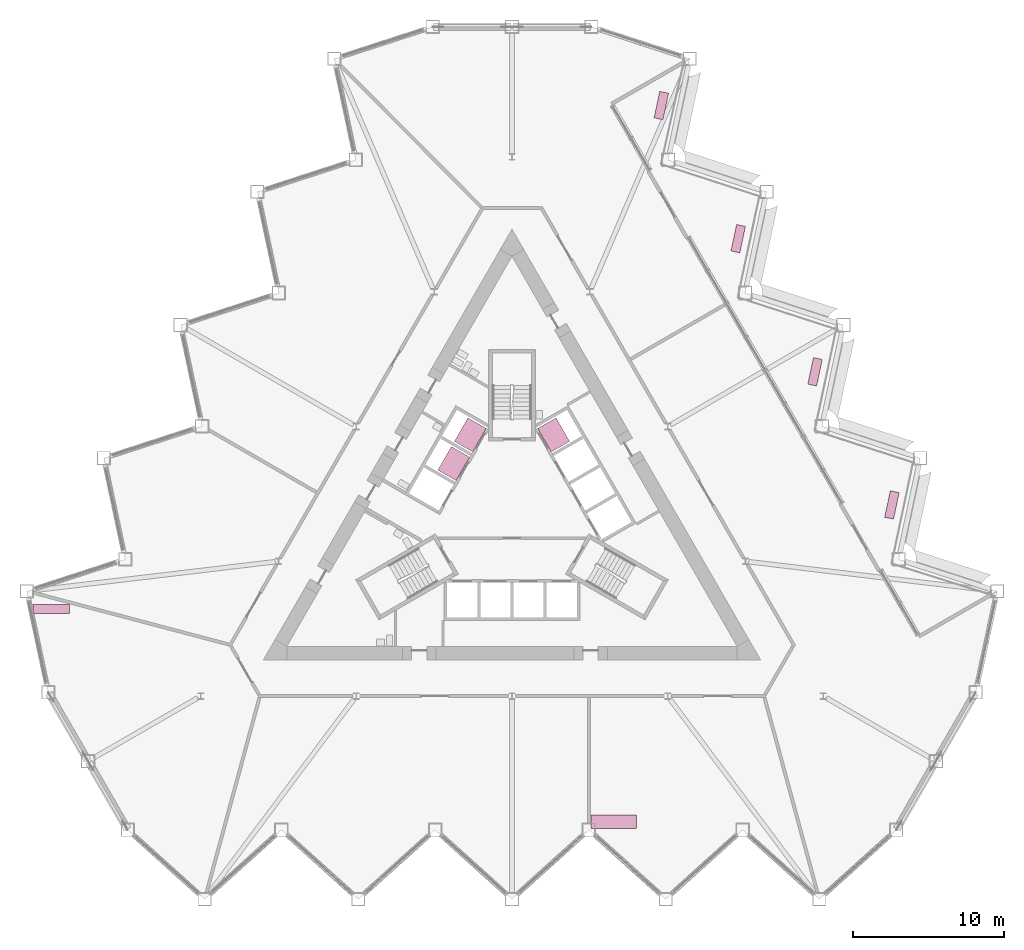
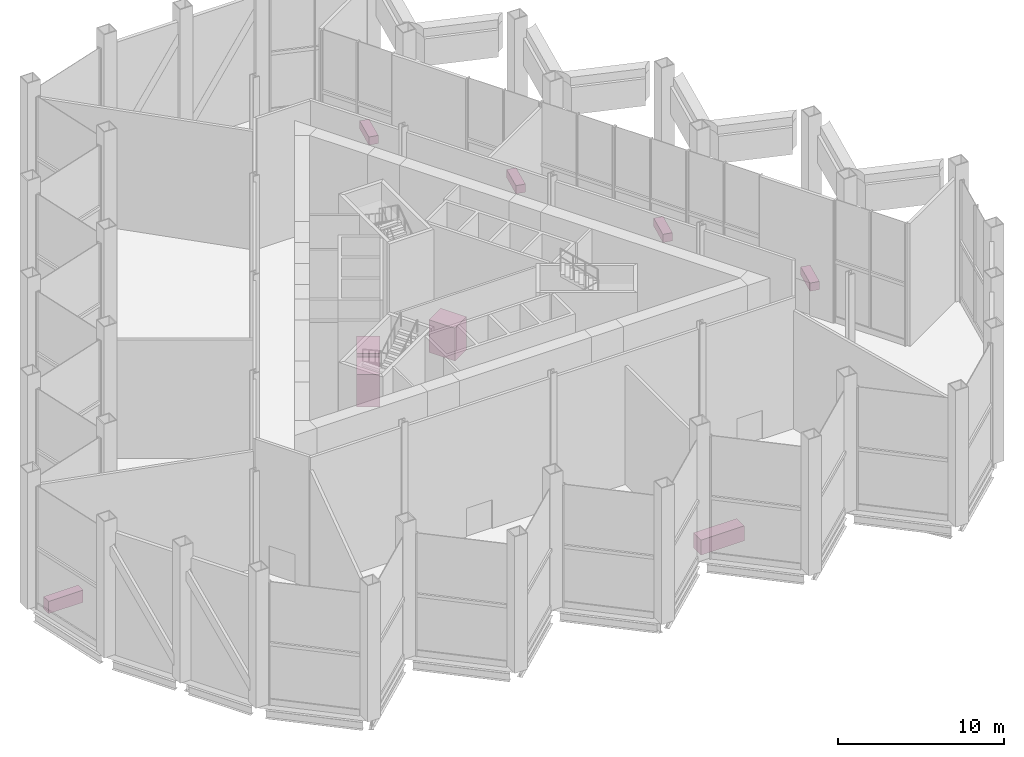
# One storey, part 18 of 18: 6 furniture elements, 3 transport elements.
"""IFC4 building model written with IfcOpenShell, lengths in metres."""

from ifc_helpers import new_model, si_unit, direction, frame, origin, origin_2d, place, context, subcontext, project, spatial, rectangle, extrude, material, type_object, element, save


model = new_model("IFC4")

# Units and contexts
model_context = context("Model", 3, precision=1e-05, world=origin(), true_north=direction((0.0, 1.0)))
body_context = subcontext(model_context, "Body", "Model", "MODEL_VIEW")
ifc_project = project(units=[si_unit("LENGTHUNIT", "METRE"), si_unit("AREAUNIT", "SQUARE_METRE"), si_unit("VOLUMEUNIT", "CUBIC_METRE"), si_unit("PLANEANGLEUNIT", "RADIAN"), si_unit("MASSUNIT", "GRAM", prefix="KILO")], contexts=[model_context])

# Site, building, storey
site_placement = place(None, origin())
site = spatial("IfcSite", under=ifc_project, at=site_placement, CompositionType="ELEMENT")
building_placement = place(site_placement, origin())
building = spatial("IfcBuilding", under=site, at=building_placement, Name="Cormorant Prow Tower", CompositionType="ELEMENT")
storey_placement = place(building_placement, frame((0.0, 0.0, 154.199951171875)))
storey = spatial("IfcBuildingStorey", under=building, at=storey_placement, Name="L33", CompositionType="ELEMENT", Elevation=154.199951171875)

# Furniture
ifc_material_1 = material(Name="Timber joinery", Category="wood")
furniture_type_1 = type_object("IfcFurnitureType", Name="Kitchen counter 2400x600", AssemblyPlace="NOTDEFINED", PredefinedType="NOTDEFINED", material=ifc_material_1)
furniture_1_placement = place(storey_placement, frame((-30.57421875, -6.135009765625, 0.0), z_axis=(0.0, 0.0, 1.0), x_axis=(1.0, 0.0, 0.0)))
element("IfcFurniture", 1, at=furniture_1_placement, inside=storey, type_object=furniture_type_1, Name="Kitchen counter", PredefinedType="NOTDEFINED", context=body_context, shape_type="SweptSolid", body=[
    extrude(rectangle(XDim=2.39990234375, YDim=0.60009765625, at=origin_2d()), origin(), (0.0, 0.0, 1.0), 0.89990234375),
])

# Transport elements
ifc_material_2 = material(Name="Stainless steel", Category="steel")
transport_element_type = type_object("IfcTransportElementType", Name="Passenger lift car 1800x1400", PredefinedType="ELEVATOR", material=ifc_material_2)
for number, where, z_axis, x_axis, name in (
    (2, (2.7666015625, 5.407958984375, 0.0), (0.0, 0.0, 1.0), (-0.5, 0.866025403784, 0.0), "Mid-rise lift MR1"),
    (3, (-2.7666015625, 5.407958984375, 0.0), (0.0, 0.0, 1.0), (-0.5, -0.866025403784, 0.0), "Mid-rise lift MR2"),
    (4, (-3.86669921875, 3.502685546875, 0.0), (0.0, 0.0, 1.0), (-0.5, -0.866025403784, 0.0), "Mid-rise lift MR3"),
):
    element("IfcTransportElement", number, at=place(storey_placement, frame(where, z_axis=z_axis, x_axis=x_axis)), inside=storey, type_object=transport_element_type, Name=name, PredefinedType="ELEVATOR", context=body_context, shape_type="SweptSolid", body=[
        extrude(rectangle(XDim=1.800048828125, YDim=1.39990234375, at=origin_2d()), origin(), (0.0, 0.0, 1.0), 2.39990234375),
    ])

# Furniture
ifc_material_3 = material(Name="Timber joinery", Category="wood")
furniture_type_2 = type_object("IfcFurnitureType", Name="Reception desk 3000x900", AssemblyPlace="NOTDEFINED", PredefinedType="DESK", material=ifc_material_3)
furniture_2_placement = place(storey_placement, frame((6.744873046875, -20.271240234375, 0.0), z_axis=(0.0, 0.0, 1.0), x_axis=(1.0, 0.0, 0.0)))
element("IfcFurniture", 5, at=furniture_2_placement, inside=storey, type_object=furniture_type_2, Name="Reception desk", PredefinedType="DESK", context=body_context, shape_type="SweptSolid", body=[
    extrude(rectangle(XDim=3.0, YDim=0.89990234375, at=origin_2d()), origin(), (0.0, 0.0, 1.0), 1.10009765625),
])
ifc_material_4 = material(Name="Terracotta", Category="masonry")
furniture_type_3 = type_object("IfcFurnitureType", Name="Terrace planter 1800x600x600", AssemblyPlace="NOTDEFINED", PredefinedType="USERDEFINED", material=ifc_material_4)
for number, where, z_axis, x_axis, name in (
    (6, (25.208984375, 0.75927734375, 0.0), (0.0, 0.0, 1.0), (0.207911724944, 0.97814759348, 0.0), "Terrace planter ENE02"),
    (7, (20.109130859375, 9.5927734375, 0.0), (0.0, 0.0, 1.0), (0.207911724944, 0.97814759348, 0.0), "Terrace planter ENE04"),
    (8, (15.00927734375, 18.426025390625, 0.0), (0.0, 0.0, 1.0), (0.207911724944, 0.97814759348, 0.0), "Terrace planter ENE06"),
    (9, (9.9091796875, 27.259521484375, 0.0), (0.0, 0.0, 1.0), (0.207911585518, 0.978147623116, 0.0), "Terrace planter ENE08"),
):
    element("IfcFurniture", number, at=place(storey_placement, frame(where, z_axis=z_axis, x_axis=x_axis)), inside=storey, type_object=furniture_type_3, Name=name, ObjectType="PLANTER", PredefinedType="USERDEFINED", context=body_context, shape_type="SweptSolid", body=[
        extrude(rectangle(XDim=1.800048828125, YDim=0.60009765625, at=origin_2d()), origin(), (0.0, 0.0, 1.0), 0.60009765625),
    ])

save(model, "model.ifc")
